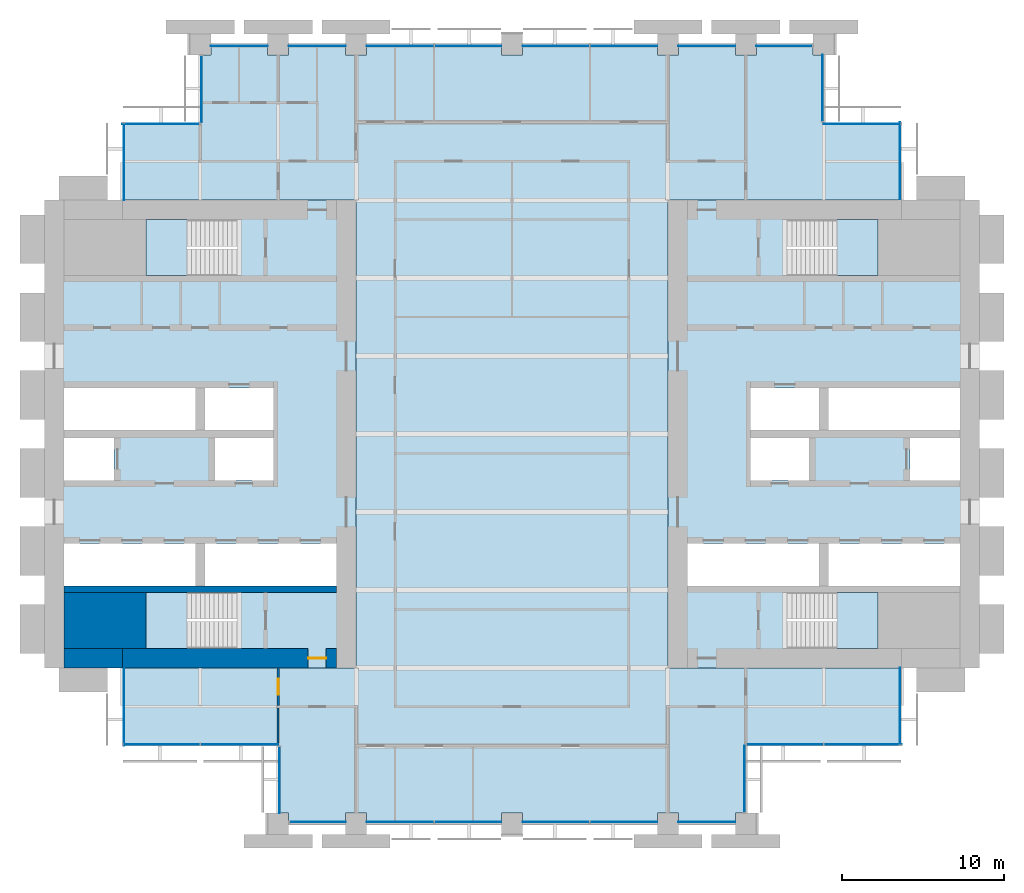
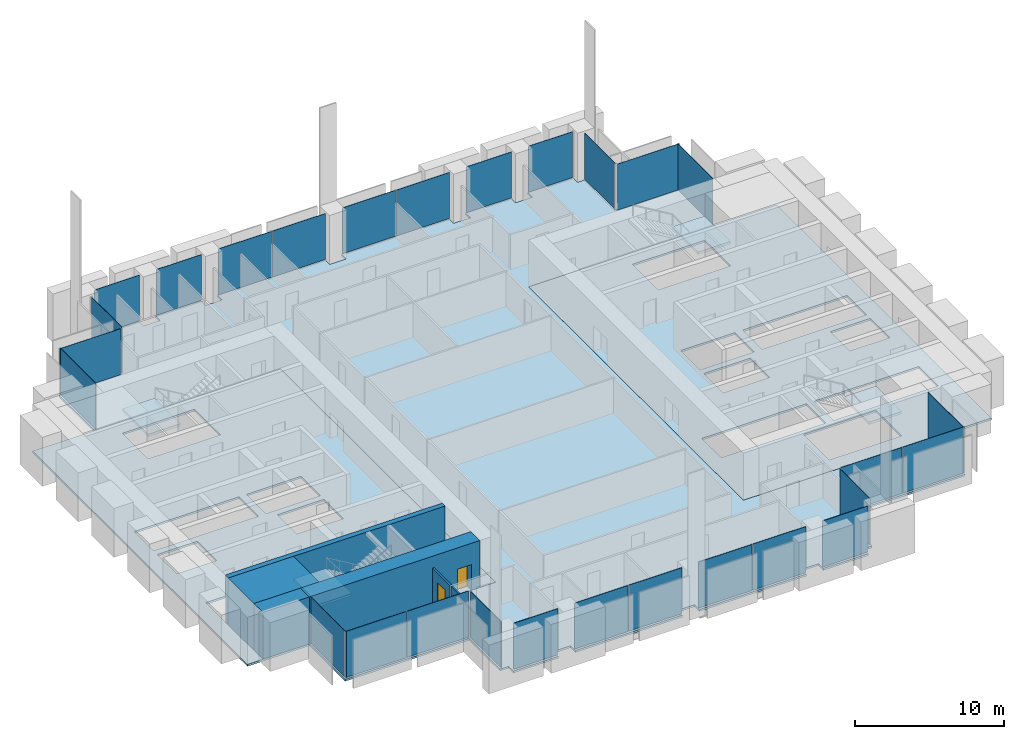
# One storey, part 8 of 14: 28 plates, 7 slabs, 6 walls, 2 doors, 2 openings, 18 elements without a shape of their own.
"""IFC4 building model written with IfcOpenShell, lengths in metres."""

from ifc_helpers import new_model, si_unit, direction, frame, frame_2d, origin, origin_2d, place, context, subcontext, project, spatial, polyline, rectangle, outline, extrude, material, layer, layer_set, type_object, element, fill, aggregate, save


model = new_model("IFC4")

# Units and contexts
model_context = context("Model", 3, precision=1e-05, world=origin(), true_north=direction((0.0, 1.0)))
body_context = subcontext(model_context, "Body", "Model", "MODEL_VIEW")
ifc_project = project(units=[si_unit("LENGTHUNIT", "METRE"), si_unit("AREAUNIT", "SQUARE_METRE"), si_unit("VOLUMEUNIT", "CUBIC_METRE"), si_unit("PLANEANGLEUNIT", "RADIAN"), si_unit("MASSUNIT", "GRAM", prefix="KILO")], contexts=[model_context])

# Site, building, storey
site_placement = place(None, origin())
site = spatial("IfcSite", under=ifc_project, at=site_placement, CompositionType="ELEMENT")
building_placement = place(site_placement, origin())
building = spatial("IfcBuilding", under=site, at=building_placement, Name="Baori Bourse Tower", CompositionType="ELEMENT")
storey_placement = place(building_placement, frame((0.0, 0.0, 63.0)))
storey = spatial("IfcBuildingStorey", under=building, at=storey_placement, Name="L13", CompositionType="ELEMENT", Elevation=63.0)

# Curtain wall, plates
ifc_material_1 = material(Name="Pale anodised aluminium", Category="aluminium")
curtain_wall_type_1 = type_object("IfcCurtainWallType", Name="CW1 Curtain wall", PredefinedType="NOTDEFINED", material=ifc_material_1)
curtain_wall_1_placement = place(storey_placement, origin())
curtain_wall_1 = element("IfcCurtainWall", 1, at=curtain_wall_1_placement, inside=storey, type_object=curtain_wall_type_1, Name="Curtain wall CW1 L13 4", PredefinedType="NOTDEFINED")
ifc_material_2 = material(Name="Clear glass", Category="glass")
ifc_layer_1 = layer(ifc_material_2, 0.033935546875)
ifc_layer_set_1 = layer_set([ifc_layer_1], Name="CW1 Curtain wall panel")
plate_type_1 = type_object("IfcPlateType", Name="CW1 Curtain wall panel", PredefinedType="CURTAIN_PANEL", material=ifc_layer_set_1)
plate_1_placement = place(storey_placement, frame((45.570068359375, 47.89990234375, 0.080078125), z_axis=(0.0, 0.0, 1.0), x_axis=(-1.0, 0.0, 0.0)))
plate_1 = element("IfcPlate", 2, at=plate_1_placement, type_object=plate_type_1, Name="Curtain wall CW1 panel", PredefinedType="CURTAIN_PANEL", context=body_context, shape_type="SweptSolid", body=[
    extrude(rectangle(XDim=3.43994140625, YDim=0.033935546875, at=origin_2d()), origin(), (0.0, 0.0, 1.0), 3.760009765625),
])
plate_2_placement = place(storey_placement, frame((40.800048828125, 47.89990234375, 0.080078125), z_axis=(0.0, 0.0, 1.0), x_axis=(-1.0, 0.0, 0.0)))
plate_2 = element("IfcPlate", 3, at=plate_2_placement, type_object=plate_type_1, Name="Curtain wall CW1 panel", PredefinedType="CURTAIN_PANEL", context=body_context, shape_type="SweptSolid", body=[
    extrude(rectangle(XDim=3.5, YDim=0.033935546875, at=origin_2d()), origin(), (0.0, 0.0, 1.0), 3.760009765625),
])
plate_3_placement = place(storey_placement, frame((35.68994140625, 47.89990234375, 0.080078125), z_axis=(0.0, 0.0, 1.0), x_axis=(-1.0, 0.0, 0.0)))
plate_3 = element("IfcPlate", 4, at=plate_3_placement, type_object=plate_type_1, Name="Curtain wall CW1 panel", PredefinedType="CURTAIN_PANEL", context=body_context, shape_type="SweptSolid", body=[
    extrude(rectangle(XDim=4.1201171875, YDim=0.033935546875, at=origin_2d()), origin(), (0.0, 0.0, 1.0), 3.760009765625),
])
plate_4_placement = place(storey_placement, frame((31.510009765625, 47.89990234375, 0.080078125), z_axis=(0.0, 0.0, 1.0), x_axis=(-1.0, 0.0, 0.0)))
plate_4 = element("IfcPlate", 5, at=plate_4_placement, type_object=plate_type_1, Name="Curtain wall CW1 panel", PredefinedType="CURTAIN_PANEL", context=body_context, shape_type="SweptSolid", body=[
    extrude(rectangle(XDim=4.1201171875, YDim=0.033935546875, at=origin_2d()), origin(), (0.0, 0.0, 1.0), 3.760009765625),
])
plate_5_placement = place(storey_placement, frame((26.090087890625, 47.89990234375, 0.080078125), z_axis=(0.0, 0.0, 1.0), x_axis=(-1.0, 0.0, 0.0)))
plate_5 = element("IfcPlate", 6, at=plate_5_placement, type_object=plate_type_1, Name="Curtain wall CW1 panel", PredefinedType="CURTAIN_PANEL", context=body_context, shape_type="SweptSolid", body=[
    extrude(rectangle(XDim=4.1201171875, YDim=0.033935546875, at=origin_2d()), origin(), (0.0, 0.0, 1.0), 3.760009765625),
])
plate_6_placement = place(storey_placement, frame((21.909912109375, 47.89990234375, 0.080078125), z_axis=(0.0, 0.0, 1.0), x_axis=(-1.0, 0.0, 0.0)))
plate_6 = element("IfcPlate", 7, at=plate_6_placement, type_object=plate_type_1, Name="Curtain wall CW1 panel", PredefinedType="CURTAIN_PANEL", context=body_context, shape_type="SweptSolid", body=[
    extrude(rectangle(XDim=4.1201171875, YDim=0.033935546875, at=origin_2d()), origin(), (0.0, 0.0, 1.0), 3.760009765625),
])
plate_7_placement = place(storey_placement, frame((16.800048828125, 47.89990234375, 0.080078125), z_axis=(0.0, 0.0, 1.0), x_axis=(-1.0, 0.0, 0.0)))
plate_7 = element("IfcPlate", 8, at=plate_7_placement, type_object=plate_type_1, Name="Curtain wall CW1 panel", PredefinedType="CURTAIN_PANEL", context=body_context, shape_type="SweptSolid", body=[
    extrude(rectangle(XDim=3.5, YDim=0.033935546875, at=origin_2d()), origin(), (0.0, 0.0, 1.0), 3.760009765625),
])
plate_8_placement = place(storey_placement, frame((12.0, 47.89990234375, 0.080078125), z_axis=(0.0, 0.0, 1.0), x_axis=(-1.0, 0.0, 0.0)))
plate_8 = element("IfcPlate", 9, at=plate_8_placement, type_object=plate_type_1, Name="Curtain wall CW1 panel", PredefinedType="CURTAIN_PANEL", context=body_context, shape_type="SweptSolid", body=[
    extrude(rectangle(XDim=3.5, YDim=0.033935546875, at=origin_2d()), origin(), (0.0, 0.0, 1.0), 3.760009765625),
])
aggregate(curtain_wall_1, [plate_1, plate_2, plate_3, plate_4, plate_5, plate_6, plate_7, plate_8])

curtain_wall_2_placement = place(storey_placement, origin())
curtain_wall_2 = element("IfcCurtainWall", 10, at=curtain_wall_2_placement, inside=storey, type_object=curtain_wall_type_1, Name="Curtain wall CW1 L13 11", PredefinedType="NOTDEFINED")
plate_9_placement = place(storey_placement, frame((16.830078125, 0.10009765625, 0.080078125), z_axis=(0.0, 0.0, 1.0), x_axis=(1.0, 0.0, 0.0)))
plate_9 = element("IfcPlate", 11, at=plate_9_placement, type_object=plate_type_1, Name="Curtain wall CW1 panel", PredefinedType="CURTAIN_PANEL", context=body_context, shape_type="SweptSolid", body=[
    extrude(rectangle(XDim=3.43994140625, YDim=0.033935546875, at=origin_2d()), origin(), (0.0, 0.0, 1.0), 3.760009765625),
])
plate_10_placement = place(storey_placement, frame((21.909912109375, 0.10009765625, 0.080078125), z_axis=(0.0, 0.0, 1.0), x_axis=(1.0, 0.0, 0.0)))
plate_10 = element("IfcPlate", 12, at=plate_10_placement, type_object=plate_type_1, Name="Curtain wall CW1 panel", PredefinedType="CURTAIN_PANEL", context=body_context, shape_type="SweptSolid", body=[
    extrude(rectangle(XDim=4.1201171875, YDim=0.033935546875, at=origin_2d()), origin(), (0.0, 0.0, 1.0), 3.760009765625),
])
plate_11_placement = place(storey_placement, frame((26.090087890625, 0.10009765625, 0.080078125), z_axis=(0.0, 0.0, 1.0), x_axis=(1.0, 0.0, 0.0)))
plate_11 = element("IfcPlate", 13, at=plate_11_placement, type_object=plate_type_1, Name="Curtain wall CW1 panel", PredefinedType="CURTAIN_PANEL", context=body_context, shape_type="SweptSolid", body=[
    extrude(rectangle(XDim=4.1201171875, YDim=0.033935546875, at=origin_2d()), origin(), (0.0, 0.0, 1.0), 3.760009765625),
])
plate_12_placement = place(storey_placement, frame((31.510009765625, 0.10009765625, 0.080078125), z_axis=(0.0, 0.0, 1.0), x_axis=(1.0, 0.0, 0.0)))
plate_12 = element("IfcPlate", 14, at=plate_12_placement, type_object=plate_type_1, Name="Curtain wall CW1 panel", PredefinedType="CURTAIN_PANEL", context=body_context, shape_type="SweptSolid", body=[
    extrude(rectangle(XDim=4.1201171875, YDim=0.033935546875, at=origin_2d()), origin(), (0.0, 0.0, 1.0), 3.760009765625),
])
plate_13_placement = place(storey_placement, frame((35.68994140625, 0.10009765625, 0.080078125), z_axis=(0.0, 0.0, 1.0), x_axis=(1.0, 0.0, 0.0)))
plate_13 = element("IfcPlate", 15, at=plate_13_placement, type_object=plate_type_1, Name="Curtain wall CW1 panel", PredefinedType="CURTAIN_PANEL", context=body_context, shape_type="SweptSolid", body=[
    extrude(rectangle(XDim=4.1201171875, YDim=0.033935546875, at=origin_2d()), origin(), (0.0, 0.0, 1.0), 3.760009765625),
])
plate_14_placement = place(storey_placement, frame((40.800048828125, 0.10009765625, 0.080078125), z_axis=(0.0, 0.0, 1.0), x_axis=(1.0, 0.0, 0.0)))
plate_14 = element("IfcPlate", 16, at=plate_14_placement, type_object=plate_type_1, Name="Curtain wall CW1 panel", PredefinedType="CURTAIN_PANEL", context=body_context, shape_type="SweptSolid", body=[
    extrude(rectangle(XDim=3.5, YDim=0.033935546875, at=origin_2d()), origin(), (0.0, 0.0, 1.0), 3.760009765625),
])
aggregate(curtain_wall_2, [plate_9, plate_10, plate_11, plate_12, plate_13, plate_14])

# Curtain wall, plate
ifc_material_3 = material(Name="Pale anodised aluminium", Category="aluminium")
curtain_wall_type_2 = type_object("IfcCurtainWallType", Name="CW2 Curtain wall", PredefinedType="NOTDEFINED", material=ifc_material_3)
curtain_wall_3_placement = place(storey_placement, origin())
curtain_wall_3 = element("IfcCurtainWall", 17, at=curtain_wall_3_placement, inside=storey, type_object=curtain_wall_type_2, Name="Curtain wall CW2 L13 1", PredefinedType="NOTDEFINED")
ifc_material_4 = material(Name="Clear glass", Category="glass")
ifc_layer_2 = layer(ifc_material_4, 0.030029296875)
ifc_layer_set_2 = layer_set([ifc_layer_2], Name="CW2 Curtain wall panel")
plate_type_2 = type_object("IfcPlateType", Name="CW2 Curtain wall panel", PredefinedType="CURTAIN_PANEL", material=ifc_layer_set_2)
plate_15_placement = place(storey_placement, frame((52.7099609375, 40.827392578125, 0.070068359375), z_axis=(0.0, 0.0, 1.0), x_axis=(0.0, 1.0, 0.0)))
plate_15 = element("IfcPlate", 18, at=plate_15_placement, type_object=plate_type_2, Name="Curtain wall CW2 panel", PredefinedType="CURTAIN_PANEL", context=body_context, shape_type="SweptSolid", body=[
    extrude(rectangle(XDim=4.7451171875, YDim=0.030029296875, at=origin_2d()), origin(), (0.0, 0.0, 1.0), 3.77001953125),
])
aggregate(curtain_wall_3, [plate_15])

curtain_wall_4_placement = place(storey_placement, origin())
curtain_wall_4 = element("IfcCurtainWall", 19, at=curtain_wall_4_placement, inside=storey, type_object=curtain_wall_type_2, Name="Curtain wall CW2 L13 2", PredefinedType="NOTDEFINED")
plate_16_placement = place(storey_placement, frame((50.37255859375, 43.110107421875, 0.070068359375), z_axis=(0.0, 0.0, 1.0), x_axis=(-1.0, 0.0, 0.0)))
plate_16 = element("IfcPlate", 20, at=plate_16_placement, type_object=plate_type_2, Name="Curtain wall CW2 panel", PredefinedType="CURTAIN_PANEL", context=body_context, shape_type="SweptSolid", body=[
    extrude(rectangle(XDim=4.7451171875, YDim=0.030029296875, at=origin_2d()), origin(), (0.0, 0.0, 1.0), 3.77001953125),
])
aggregate(curtain_wall_4, [plate_16])

curtain_wall_5_placement = place(storey_placement, origin())
curtain_wall_5 = element("IfcCurtainWall", 21, at=curtain_wall_5_placement, inside=storey, type_object=curtain_wall_type_2, Name="Curtain wall CW2 L13 3", PredefinedType="NOTDEFINED")
plate_17_placement = place(storey_placement, frame((47.909912109375, 45.302490234375, 0.070068359375), z_axis=(0.0, 0.0, 1.0), x_axis=(0.0, 1.0, 0.0)))
plate_17 = element("IfcPlate", 22, at=plate_17_placement, type_object=plate_type_2, Name="Curtain wall CW2 panel", PredefinedType="CURTAIN_PANEL", context=body_context, shape_type="SweptSolid", body=[
    extrude(rectangle(XDim=4.094970703125, YDim=0.030029296875, at=origin_2d()), origin(), (0.0, 0.0, 1.0), 3.77001953125),
])
aggregate(curtain_wall_5, [plate_17])

curtain_wall_6_placement = place(storey_placement, origin())
curtain_wall_6 = element("IfcCurtainWall", 23, at=curtain_wall_6_placement, inside=storey, type_object=curtain_wall_type_2, Name="Curtain wall CW2 L13 5", PredefinedType="NOTDEFINED")
plate_18_placement = place(storey_placement, frame((9.68994140625, 45.24755859375, 0.070068359375), z_axis=(0.0, 0.0, 1.0), x_axis=(0.0, -1.0, 0.0)))
plate_18 = element("IfcPlate", 24, at=plate_18_placement, type_object=plate_type_2, Name="Curtain wall CW2 panel", PredefinedType="CURTAIN_PANEL", context=body_context, shape_type="SweptSolid", body=[
    extrude(rectangle(XDim=4.094970703125, YDim=0.030029296875, at=origin_2d()), origin(), (0.0, 0.0, 1.0), 3.77001953125),
])
aggregate(curtain_wall_6, [plate_18])

curtain_wall_7_placement = place(storey_placement, origin())
curtain_wall_7 = element("IfcCurtainWall", 25, at=curtain_wall_7_placement, inside=storey, type_object=curtain_wall_type_2, Name="Curtain wall CW2 L13 6", PredefinedType="NOTDEFINED")
plate_19_placement = place(storey_placement, frame((7.172607421875, 43.110107421875, 0.070068359375), z_axis=(0.0, 0.0, 1.0), x_axis=(-1.0, 0.0, 0.0)))
plate_19 = element("IfcPlate", 26, at=plate_19_placement, type_object=plate_type_2, Name="Curtain wall CW2 panel", PredefinedType="CURTAIN_PANEL", context=body_context, shape_type="SweptSolid", body=[
    extrude(rectangle(XDim=4.7451171875, YDim=0.030029296875, at=origin_2d()), origin(), (0.0, 0.0, 1.0), 3.77001953125),
])
aggregate(curtain_wall_7, [plate_19])

curtain_wall_8_placement = place(storey_placement, origin())
curtain_wall_8 = element("IfcCurtainWall", 27, at=curtain_wall_8_placement, inside=storey, type_object=curtain_wall_type_2, Name="Curtain wall CW2 L13 7", PredefinedType="NOTDEFINED")
plate_20_placement = place(storey_placement, frame((4.889892578125, 40.7724609375, 0.070068359375), z_axis=(0.0, 0.0, 1.0), x_axis=(0.0, -1.0, 0.0)))
plate_20 = element("IfcPlate", 28, at=plate_20_placement, type_object=plate_type_2, Name="Curtain wall CW2 panel", PredefinedType="CURTAIN_PANEL", context=body_context, shape_type="SweptSolid", body=[
    extrude(rectangle(XDim=4.7451171875, YDim=0.030029296875, at=origin_2d()), origin(), (0.0, 0.0, 1.0), 3.77001953125),
])
aggregate(curtain_wall_8, [plate_20])

curtain_wall_9_placement = place(storey_placement, origin())
curtain_wall_9 = element("IfcCurtainWall", 29, at=curtain_wall_9_placement, inside=storey, type_object=curtain_wall_type_2, Name="Curtain wall CW2 L13 8", PredefinedType="NOTDEFINED")
plate_21_placement = place(storey_placement, frame((4.889892578125, 7.172607421875, 0.070068359375), z_axis=(0.0, 0.0, 1.0), x_axis=(0.0, -1.0, 0.0)))
plate_21 = element("IfcPlate", 30, at=plate_21_placement, type_object=plate_type_2, Name="Curtain wall CW2 panel", PredefinedType="CURTAIN_PANEL", context=body_context, shape_type="SweptSolid", body=[
    extrude(rectangle(XDim=4.7451171875, YDim=0.030029296875, at=origin_2d()), origin(), (0.0, 0.0, 1.0), 3.77001953125),
])
aggregate(curtain_wall_9, [plate_21])

# Curtain wall, plates
curtain_wall_10_placement = place(storey_placement, origin())
curtain_wall_10 = element("IfcCurtainWall", 31, at=curtain_wall_10_placement, inside=storey, type_object=curtain_wall_type_2, Name="Curtain wall CW2 L13 9", PredefinedType="NOTDEFINED")
plate_22_placement = place(storey_placement, frame((7.2138671875, 4.889892578125, 0.070068359375), z_axis=(0.0, 0.0, 1.0), x_axis=(1.0, 0.0, 0.0)))
plate_22 = element("IfcPlate", 32, at=plate_22_placement, type_object=plate_type_2, Name="Curtain wall CW2 panel", PredefinedType="CURTAIN_PANEL", context=body_context, shape_type="SweptSolid", body=[
    extrude(rectangle(XDim=4.717529296875, YDim=0.030029296875, at=origin_2d()), origin(), (0.0, 0.0, 1.0), 3.77001953125),
])
plate_23_placement = place(storey_placement, frame((12.013671875, 4.889892578125, 0.070068359375), z_axis=(0.0, 0.0, 1.0), x_axis=(1.0, 0.0, 0.0)))
plate_23 = element("IfcPlate", 33, at=plate_23_placement, type_object=plate_type_2, Name="Curtain wall CW2 panel", PredefinedType="CURTAIN_PANEL", context=body_context, shape_type="SweptSolid", body=[
    extrude(rectangle(XDim=4.7724609375, YDim=0.030029296875, at=origin_2d()), origin(), (0.0, 0.0, 1.0), 3.77001953125),
])
aggregate(curtain_wall_10, [plate_22, plate_23])

# Curtain wall, plate
curtain_wall_11_placement = place(storey_placement, origin())
curtain_wall_11 = element("IfcCurtainWall", 34, at=curtain_wall_11_placement, inside=storey, type_object=curtain_wall_type_2, Name="Curtain wall CW2 L13 10", PredefinedType="NOTDEFINED")
plate_24_placement = place(storey_placement, frame((14.489990234375, 2.697509765625, 0.070068359375), z_axis=(0.0, 0.0, 1.0), x_axis=(0.0, -1.0, 0.0)))
plate_24 = element("IfcPlate", 35, at=plate_24_placement, type_object=plate_type_2, Name="Curtain wall CW2 panel", PredefinedType="CURTAIN_PANEL", context=body_context, shape_type="SweptSolid", body=[
    extrude(rectangle(XDim=4.094970703125, YDim=0.030029296875, at=origin_2d()), origin(), (0.0, 0.0, 1.0), 3.77001953125),
])
aggregate(curtain_wall_11, [plate_24])

curtain_wall_12_placement = place(storey_placement, origin())
curtain_wall_12 = element("IfcCurtainWall", 36, at=curtain_wall_12_placement, inside=storey, type_object=curtain_wall_type_2, Name="Curtain wall CW2 L13 12", PredefinedType="NOTDEFINED")
plate_25_placement = place(storey_placement, frame((43.110107421875, 2.75244140625, 0.070068359375), z_axis=(0.0, 0.0, 1.0), x_axis=(0.0, 1.0, 0.0)))
plate_25 = element("IfcPlate", 37, at=plate_25_placement, type_object=plate_type_2, Name="Curtain wall CW2 panel", PredefinedType="CURTAIN_PANEL", context=body_context, shape_type="SweptSolid", body=[
    extrude(rectangle(XDim=4.094970703125, YDim=0.030029296875, at=origin_2d()), origin(), (0.0, 0.0, 1.0), 3.77001953125),
])
aggregate(curtain_wall_12, [plate_25])

# Curtain wall, plates
curtain_wall_13_placement = place(storey_placement, origin())
curtain_wall_13 = element("IfcCurtainWall", 38, at=curtain_wall_13_placement, inside=storey, type_object=curtain_wall_type_2, Name="Curtain wall CW2 L13 13", PredefinedType="NOTDEFINED")
plate_26_placement = place(storey_placement, frame((45.61376953125, 4.889892578125, 0.070068359375), z_axis=(0.0, 0.0, 1.0), x_axis=(1.0, 0.0, 0.0)))
plate_26 = element("IfcPlate", 39, at=plate_26_placement, type_object=plate_type_2, Name="Curtain wall CW2 panel", PredefinedType="CURTAIN_PANEL", context=body_context, shape_type="SweptSolid", body=[
    extrude(rectangle(XDim=4.717529296875, YDim=0.030029296875, at=origin_2d()), origin(), (0.0, 0.0, 1.0), 3.77001953125),
])
plate_27_placement = place(storey_placement, frame((50.413818359375, 4.889892578125, 0.070068359375), z_axis=(0.0, 0.0, 1.0), x_axis=(1.0, 0.0, 0.0)))
plate_27 = element("IfcPlate", 40, at=plate_27_placement, type_object=plate_type_2, Name="Curtain wall CW2 panel", PredefinedType="CURTAIN_PANEL", context=body_context, shape_type="SweptSolid", body=[
    extrude(rectangle(XDim=4.7724609375, YDim=0.030029296875, at=origin_2d()), origin(), (0.0, 0.0, 1.0), 3.77001953125),
])
aggregate(curtain_wall_13, [plate_26, plate_27])

# Curtain wall, plate
curtain_wall_14_placement = place(storey_placement, origin())
curtain_wall_14 = element("IfcCurtainWall", 41, at=curtain_wall_14_placement, inside=storey, type_object=curtain_wall_type_2, Name="Curtain wall CW2 L13 14", PredefinedType="NOTDEFINED")
plate_28_placement = place(storey_placement, frame((52.7099609375, 7.2275390625, 0.070068359375), z_axis=(0.0, 0.0, 1.0), x_axis=(0.0, 1.0, 0.0)))
plate_28 = element("IfcPlate", 42, at=plate_28_placement, type_object=plate_type_2, Name="Curtain wall CW2 panel", PredefinedType="CURTAIN_PANEL", context=body_context, shape_type="SweptSolid", body=[
    extrude(rectangle(XDim=4.7451171875, YDim=0.030029296875, at=origin_2d()), origin(), (0.0, 0.0, 1.0), 3.77001953125),
])
aggregate(curtain_wall_14, [plate_28])

# Slabs
ifc_material_5 = material(Name="Concrete f'c 50 MPa", Category="concrete")
ifc_layer_3 = layer(ifc_material_5, 0.159912109375)
ifc_layer_set_3 = layer_set([ifc_layer_3], Name="Core slab 160")
slab_type_1 = type_object("IfcSlabType", Name="Core slab 160", PredefinedType="FLOOR", material=ifc_layer_set_3)
slab_1_placement = place(storey_placement, frame((0.0, 0.0, -0.159912109375)))
element("IfcSlab", 43, at=slab_1_placement, inside=storey, type_object=slab_type_1, Name="Core floor slab W01", PredefinedType="FLOOR", context=body_context, shape_type="SweptSolid", body=[
    extrude(outline(polyline([(19.199951171875, 9.60009765625), (19.199951171875, 38.39990234375), (0.0, 38.39990234375), (0.0, 9.60009765625), (19.199951171875, 9.60009765625)]), holes=[polyline([(9.89990234375, 14.64990234375), (9.89990234375, 17.25), (18.0, 17.25), (18.0, 14.64990234375), (9.89990234375, 14.64990234375)]), polyline([(10.5, 21.14990234375), (10.5, 23.75), (14.10009765625, 23.75), (14.10009765625, 21.14990234375), (10.5, 21.14990234375)]), polyline([(14.10009765625, 24.25), (9.89990234375, 24.25), (9.89990234375, 26.85009765625), (14.10009765625, 26.85009765625), (14.10009765625, 24.25)]), polyline([(6.25, 14.25), (11.84912109375, 14.25), (11.84912109375, 10.800048828125), (6.25, 10.800048828125), (6.25, 14.25)]), polyline([(11.84912109375, 37.199951171875), (11.84912109375, 33.75), (6.25, 33.75), (6.25, 37.199951171875), (11.84912109375, 37.199951171875)]), polyline([(1.199951171875, 26.85009765625), (9.300048828125, 26.85009765625), (9.300048828125, 24.25), (1.199951171875, 24.25), (1.199951171875, 26.85009765625)]), polyline([(9.300048828125, 14.64990234375), (1.199951171875, 14.64990234375), (1.199951171875, 17.25), (9.300048828125, 17.25), (9.300048828125, 14.64990234375)]), polyline([(4.300048828125, 23.75), (4.300048828125, 21.14990234375), (1.199951171875, 21.14990234375), (1.199951171875, 23.75), (4.300048828125, 23.75)])]), origin(), (0.0, 0.0, 1.0), 0.159912109375),
])
slab_2_placement = place(storey_placement, frame((0.0, 0.0, -0.159912109375)))
element("IfcSlab", 44, at=slab_2_placement, inside=storey, type_object=slab_type_1, Name="Core floor slab E01", PredefinedType="FLOOR", context=body_context, shape_type="SweptSolid", body=[
    extrude(outline(polyline([(38.39990234375, 9.60009765625), (57.60009765625, 9.60009765625), (57.60009765625, 38.39990234375), (38.39990234375, 38.39990234375), (38.39990234375, 9.60009765625)]), holes=[polyline([(48.300048828125, 14.64990234375), (48.300048828125, 17.25), (56.39990234375, 17.25), (56.39990234375, 14.64990234375), (48.300048828125, 14.64990234375)]), polyline([(56.39990234375, 21.14990234375), (53.300048828125, 21.14990234375), (53.300048828125, 23.75), (56.39990234375, 23.75), (56.39990234375, 21.14990234375)]), polyline([(56.39990234375, 26.85009765625), (56.39990234375, 24.25), (48.300048828125, 24.25), (48.300048828125, 26.85009765625), (56.39990234375, 26.85009765625)]), polyline([(45.750732421875, 14.25), (51.35009765625, 14.25), (51.35009765625, 10.800048828125), (45.750732421875, 10.800048828125), (45.750732421875, 14.25)]), polyline([(51.35009765625, 37.199951171875), (51.35009765625, 33.75), (45.750732421875, 33.75), (45.750732421875, 37.199951171875), (51.35009765625, 37.199951171875)]), polyline([(39.60009765625, 17.25), (47.699951171875, 17.25), (47.699951171875, 14.64990234375), (39.60009765625, 14.64990234375), (39.60009765625, 17.25)]), polyline([(43.5, 24.25), (43.5, 26.85009765625), (47.699951171875, 26.85009765625), (47.699951171875, 24.25), (43.5, 24.25)]), polyline([(43.5, 23.75), (47.10009765625, 23.75), (47.10009765625, 21.14990234375), (43.5, 21.14990234375), (43.5, 23.75)])]), origin(), (0.0, 0.0, 1.0), 0.159912109375),
])

# Stair, slab
ifc_material_6 = material(Name="Concrete f'c 50 MPa", Category="concrete")
stair_type = type_object("IfcStairType", Name="Core stair", PredefinedType="HALF_TURN_STAIR", material=ifc_material_6)
stair_1_placement = place(storey_placement, origin())
stair_1 = element("IfcStair", 45, at=stair_1_placement, inside=storey, type_object=stair_type, Name="L13 Stair WA", PredefinedType="HALF_TURN_STAIR")
ifc_material_7 = material(Name="Concrete f'c 50 MPa", Category="concrete")
slab_type_2 = type_object("IfcSlabType", Name="Core stair landing", PredefinedType="LANDING", material=ifc_material_7)
slab_3_placement = place(storey_placement, frame((0.0, 0.0, 1.800048828125)))
slab_3 = element("IfcSlab", 46, at=slab_3_placement, type_object=slab_type_2, Name="ST1 landing 1", PredefinedType="LANDING", context=body_context, shape_type="SweptSolid", body=[
    extrude(outline(polyline([(8.77001953125, 14.25), (6.25, 14.25), (6.25, 10.800048828125), (8.77001953125, 10.800048828125), (8.77001953125, 14.25)])), origin(), (0.0, 0.0, 1.0), 0.199951171875),
])
aggregate(stair_1, [slab_3])

stair_2_placement = place(storey_placement, origin())
stair_2 = element("IfcStair", 47, at=stair_2_placement, inside=storey, type_object=stair_type, Name="L13 Stair WB", PredefinedType="HALF_TURN_STAIR")
slab_4_placement = place(storey_placement, frame((0.0, 0.0, 1.800048828125)))
slab_4 = element("IfcSlab", 48, at=slab_4_placement, type_object=slab_type_2, Name="ST2 landing 1", PredefinedType="LANDING", context=body_context, shape_type="SweptSolid", body=[
    extrude(outline(polyline([(8.77001953125, 37.199951171875), (6.25, 37.199951171875), (6.25, 33.75), (8.77001953125, 33.75), (8.77001953125, 37.199951171875)])), origin(), (0.0, 0.0, 1.0), 0.199951171875),
])
aggregate(stair_2, [slab_4])

stair_3_placement = place(storey_placement, origin())
stair_3 = element("IfcStair", 49, at=stair_3_placement, inside=storey, type_object=stair_type, Name="L13 Stair EA", PredefinedType="HALF_TURN_STAIR")
slab_5_placement = place(storey_placement, frame((0.0, 0.0, 1.800048828125)))
slab_5 = element("IfcSlab", 50, at=slab_5_placement, type_object=slab_type_2, Name="ST3 landing 1", PredefinedType="LANDING", context=body_context, shape_type="SweptSolid", body=[
    extrude(outline(polyline([(48.830078125, 10.800048828125), (51.35009765625, 10.800048828125), (51.35009765625, 14.25), (48.830078125, 14.25), (48.830078125, 10.800048828125)])), origin(), (0.0, 0.0, 1.0), 0.199951171875),
])
aggregate(stair_3, [slab_5])

stair_4_placement = place(storey_placement, origin())
stair_4 = element("IfcStair", 51, at=stair_4_placement, inside=storey, type_object=stair_type, Name="L13 Stair EB", PredefinedType="HALF_TURN_STAIR")
slab_6_placement = place(storey_placement, frame((0.0, 0.0, 1.800048828125)))
slab_6 = element("IfcSlab", 52, at=slab_6_placement, type_object=slab_type_2, Name="ST4 landing 1", PredefinedType="LANDING", context=body_context, shape_type="SweptSolid", body=[
    extrude(outline(polyline([(48.830078125, 33.75), (51.35009765625, 33.75), (51.35009765625, 37.199951171875), (48.830078125, 37.199951171875), (48.830078125, 33.75)])), origin(), (0.0, 0.0, 1.0), 0.199951171875),
])
aggregate(stair_4, [slab_6])

# Slab
ifc_material_8 = material(Name="Concrete f'c 40 MPa", Category="concrete")
ifc_layer_4 = layer(ifc_material_8, 0.159912109375)
ifc_layer_set_4 = layer_set([ifc_layer_4], Name="Floor slab 160")
slab_type_3 = type_object("IfcSlabType", Name="Floor slab 160", PredefinedType="FLOOR", material=ifc_layer_set_4)
slab_7_placement = place(storey_placement, frame((0.0, 0.0, -0.159912109375)))
element("IfcSlab", 53, at=slab_7_placement, inside=storey, type_object=slab_type_3, Name="Floor slab L13", PredefinedType="FLOOR", context=body_context, shape_type="SweptSolid", body=[
    extrude(outline(polyline([(14.39990234375, 4.800048828125), (4.800048828125, 4.800048828125), (4.800048828125, 9.60009765625), (19.199951171875, 9.60009765625), (19.199951171875, 38.39990234375), (4.800048828125, 38.39990234375), (4.800048828125, 43.199951171875), (9.60009765625, 43.199951171875), (9.60009765625, 47.35009765625), (10.25, 47.35009765625), (10.25, 48.0), (13.75, 48.0), (13.75, 47.35009765625), (15.050048828125, 47.35009765625), (15.050048828125, 48.0), (18.550048828125, 48.0), (18.550048828125, 47.35009765625), (19.85009765625, 47.35009765625), (19.85009765625, 48.0), (28.14990234375, 48.0), (28.14990234375, 47.35009765625), (29.449951171875, 47.35009765625), (29.449951171875, 48.0), (37.75, 48.0), (37.75, 47.35009765625), (39.050048828125, 47.35009765625), (39.050048828125, 48.0), (42.550048828125, 48.0), (42.550048828125, 47.35009765625), (43.85009765625, 47.35009765625), (43.85009765625, 48.0), (47.35009765625, 48.0), (47.35009765625, 47.35009765625), (48.0, 47.35009765625), (48.0, 43.199951171875), (52.800048828125, 43.199951171875), (52.800048828125, 38.39990234375), (38.39990234375, 38.39990234375), (38.39990234375, 9.60009765625), (52.800048828125, 9.60009765625), (52.800048828125, 4.800048828125), (43.199951171875, 4.800048828125), (43.199951171875, 0.64990234375), (42.550048828125, 0.64990234375), (42.550048828125, 0.0), (39.050048828125, 0.0), (39.050048828125, 0.64990234375), (37.75, 0.64990234375), (37.75, 0.0), (29.449951171875, 0.0), (29.449951171875, 0.64990234375), (28.14990234375, 0.64990234375), (28.14990234375, 0.0), (19.85009765625, 0.0), (19.85009765625, 0.64990234375), (18.550048828125, 0.64990234375), (18.550048828125, 0.0), (15.050048828125, 0.0), (15.050048828125, 0.64990234375), (14.39990234375, 0.64990234375), (14.39990234375, 4.800048828125)])), origin(), (0.0, 0.0, 1.0), 0.159912109375),
])

# Walls
ifc_material_9 = material(Name="Concrete f'c 70 MPa", Category="concrete")
wall_type_1 = type_object("IfcWallType", Name="Core corner block f'c 70", PredefinedType="SHEAR", material=ifc_material_9)
wall_1_placement = place(storey_placement, frame((1.199951171875, 12.52490234375, 0.0), z_axis=(0.0, 0.0, 1.0), x_axis=(1.0, 0.0, 0.0)))
element("IfcWall", 54, at=wall_1_placement, inside=storey, type_object=wall_type_1, Name="Core wall W05", PredefinedType="SHEAR", context=body_context, shape_type="SweptSolid", body=[
    extrude(rectangle(XDim=5.050048828125, YDim=3.449951171875, at=frame_2d((2.52490234375, 0.0))), origin(), (0.0, 0.0, 1.0), 3.840087890625),
])
ifc_material_10 = material(Name="Concrete f'c 70 MPa", Category="concrete")
ifc_layer_5 = layer(ifc_material_10, 1.199951171875)
ifc_layer_set_5 = layer_set([ifc_layer_5], Name="Core wall 1200 f'c 70")
wall_type_2 = type_object("IfcWallType", Name="Core wall 1200 f'c 70", PredefinedType="SHEAR", material=ifc_layer_set_5)
wall_2_placement = place(storey_placement, frame((4.800048828125, 10.199951171875, 0.0), z_axis=(0.0, 0.0, 1.0), x_axis=(-1.0, 0.0, 0.0)))
element("IfcWall", 55, at=wall_2_placement, inside=storey, type_object=wall_type_2, Name="Core wall W02", PredefinedType="SHEAR", context=body_context, shape_type="SweptSolid", body=[
    extrude(rectangle(XDim=3.60009765625, YDim=1.199951171875, at=frame_2d((1.800048828125, 0.0))), origin(), (0.0, 0.0, 1.0), 3.840087890625),
])

# Wall, opening, door
wall_3_placement = place(storey_placement, frame((18.0, 10.199951171875, 0.0), z_axis=(0.0, 0.0, 1.0), x_axis=(-1.0, 0.0, 0.0)))
wall_3 = element("IfcWall", 56, at=wall_3_placement, inside=storey, type_object=wall_type_2, Name="Core wall W03", PredefinedType="SHEAR", context=body_context, shape_type="SweptSolid", body=[
    extrude(rectangle(XDim=13.199951171875, YDim=1.199951171875, at=frame_2d((6.60009765625, 0.0))), origin(), (0.0, 0.0, 1.0), 3.840087890625),
])
opening_1_placement = place(wall_3_placement, frame((0.64990234375, 0.0, 0.0)))
opening_1 = element("IfcOpeningElement", 57, at=opening_1_placement, cuts=wall_3, Name="Opening L13-D102", PredefinedType="OPENING", context=body_context, shape_type="SweptSolid", body=[
    extrude(rectangle(XDim=1.10009765625, YDim=2.10009765625, at=frame_2d((0.550048828125, 1.050048828125))), frame((0.0, 0.60986328125, 0.0), z_axis=(0.0, -1.0, 0.0), x_axis=(1.0, 0.0, 0.0)), (0.0, 0.0, 1.0), 1.219970703125),
])
ifc_material_11 = material(Name="Painted steel door", Category="steel")
door_type_1 = type_object("IfcDoorType", Name="Stair door 1100", OperationType="SINGLE_SWING_LEFT", PredefinedType="DOOR", material=ifc_material_11)
door_1_placement = place(opening_1_placement, origin())
door_1 = element("IfcDoor", 58, at=door_1_placement, inside=storey, type_object=door_type_1, Name="Stair vestibule door A W L13", OperationType="SINGLE_SWING_LEFT", OverallHeight=2.10009765625, OverallWidth=1.10009765625, PredefinedType="DOOR", context=body_context, shape_type="SweptSolid", body=[
    extrude(rectangle(XDim=1.10009765625, YDim=2.10009765625, at=frame_2d((0.550048828125, 1.050048828125))), frame((0.0, 0.02490234375, 0.0), z_axis=(0.0, -1.0, 0.0), x_axis=(1.0, 0.0, 0.0)), (0.0, 0.0, 1.0), 0.050048828125),
])
fill(opening_1, door_1)

ifc_material_12 = material(Name="Gypsum board partition")
ifc_layer_6 = layer(ifc_material_12, 0.14990234375)
ifc_layer_set_6 = layer_set([ifc_layer_6], Name="Corridor partition 150")
wall_type_3 = type_object("IfcWallType", Name="Corridor partition 150", PredefinedType="PARTITIONING", material=ifc_layer_set_6)
wall_4_placement = place(storey_placement, frame((14.39990234375, 7.27490234375, 0.0), z_axis=(0.0, 0.0, 1.0), x_axis=(0.0, 1.0, 0.0)))
wall_4 = element("IfcWall", 59, at=wall_4_placement, inside=storey, type_object=wall_type_3, Name="Partition", PredefinedType="PARTITIONING", context=body_context, shape_type="SweptSolid", body=[
    extrude(rectangle(XDim=2.3251953125, YDim=0.14990234375, at=frame_2d((1.16259765625, 0.0))), origin(), (0.0, 0.0, 1.0), 2.86962890625),
])
opening_2_placement = place(wall_4_placement, frame((0.66259765625, 0.0, 0.0)))
opening_2 = element("IfcOpeningElement", 60, at=opening_2_placement, cuts=wall_4, Name="Opening L13-D18", PredefinedType="OPENING", context=body_context, shape_type="SweptSolid", body=[
    extrude(rectangle(XDim=1.0, YDim=2.10009765625, at=frame_2d((0.5, 1.050048828125))), frame((0.0, 0.0849609375, 0.0), z_axis=(0.0, -1.0, 0.0), x_axis=(1.0, 0.0, 0.0)), (0.0, 0.0, 1.0), 0.169921875),
])
ifc_material_13 = material(Name="Timber door leaf", Category="wood")
door_type_2 = type_object("IfcDoorType", Name="Door 1000 x 2100", OperationType="SINGLE_SWING_LEFT", PredefinedType="DOOR", material=ifc_material_13)
door_2_placement = place(opening_2_placement, origin())
door_2 = element("IfcDoor", 61, at=door_2_placement, inside=storey, type_object=door_type_2, Name="Door", OperationType="SINGLE_SWING_RIGHT", OverallHeight=2.10009765625, OverallWidth=1.0, PredefinedType="DOOR", context=body_context, shape_type="SweptSolid", body=[
    extrude(rectangle(XDim=1.0, YDim=2.10009765625, at=frame_2d((0.5, 1.050048828125))), frame((0.0, 0.02490234375, 0.0), z_axis=(0.0, -1.0, 0.0), x_axis=(1.0, 0.0, 0.0)), (0.0, 0.0, 1.0), 0.050048828125),
])
fill(opening_2, door_2)

# Walls
ifc_material_14 = material(Name="Gypsum board partition")
ifc_layer_7 = layer(ifc_material_14, 0.125)
ifc_layer_set_7 = layer_set([ifc_layer_7], Name="Partition 125")
wall_type_4 = type_object("IfcWallType", Name="Partition 125", PredefinedType="PARTITIONING", material=ifc_layer_set_7)
wall_5_placement = place(storey_placement, frame((14.39990234375, 4.89990234375, 0.0), z_axis=(0.0, 0.0, 1.0), x_axis=(0.0, 1.0, 0.0)))
element("IfcWall", 62, at=wall_5_placement, inside=storey, type_object=wall_type_4, Name="Partition", PredefinedType="PARTITIONING", context=body_context, shape_type="SweptSolid", body=[
    extrude(rectangle(XDim=2.22509765625, YDim=0.125, at=frame_2d((1.112548828125, 0.0))), origin(), (0.0, 0.0, 1.0), 2.86962890625),
])
ifc_material_15 = material(Name="Concrete f'c 70 MPa", Category="concrete")
ifc_layer_8 = layer(ifc_material_15, 0.39990234375)
ifc_layer_set_8 = layer_set([ifc_layer_8], Name="Shaft wall 400 f'c 70")
wall_type_5 = type_object("IfcWallType", Name="Shaft wall 400 f'c 70", PredefinedType="SHEAR", material=ifc_layer_set_8)
wall_6_placement = place(storey_placement, frame((1.199951171875, 14.449951171875, 0.0), z_axis=(0.0, 0.0, 1.0), x_axis=(1.0, 0.0, 0.0)))
element("IfcWall", 63, at=wall_6_placement, inside=storey, type_object=wall_type_5, Name="Core wall W07", PredefinedType="SHEAR", context=body_context, shape_type="SweptSolid", body=[
    extrude(rectangle(XDim=16.800048828125, YDim=0.39990234375, at=frame_2d((8.39990234375, 0.0))), origin(), (0.0, 0.0, 1.0), 3.840087890625),
])

save(model, "model.ifc")
